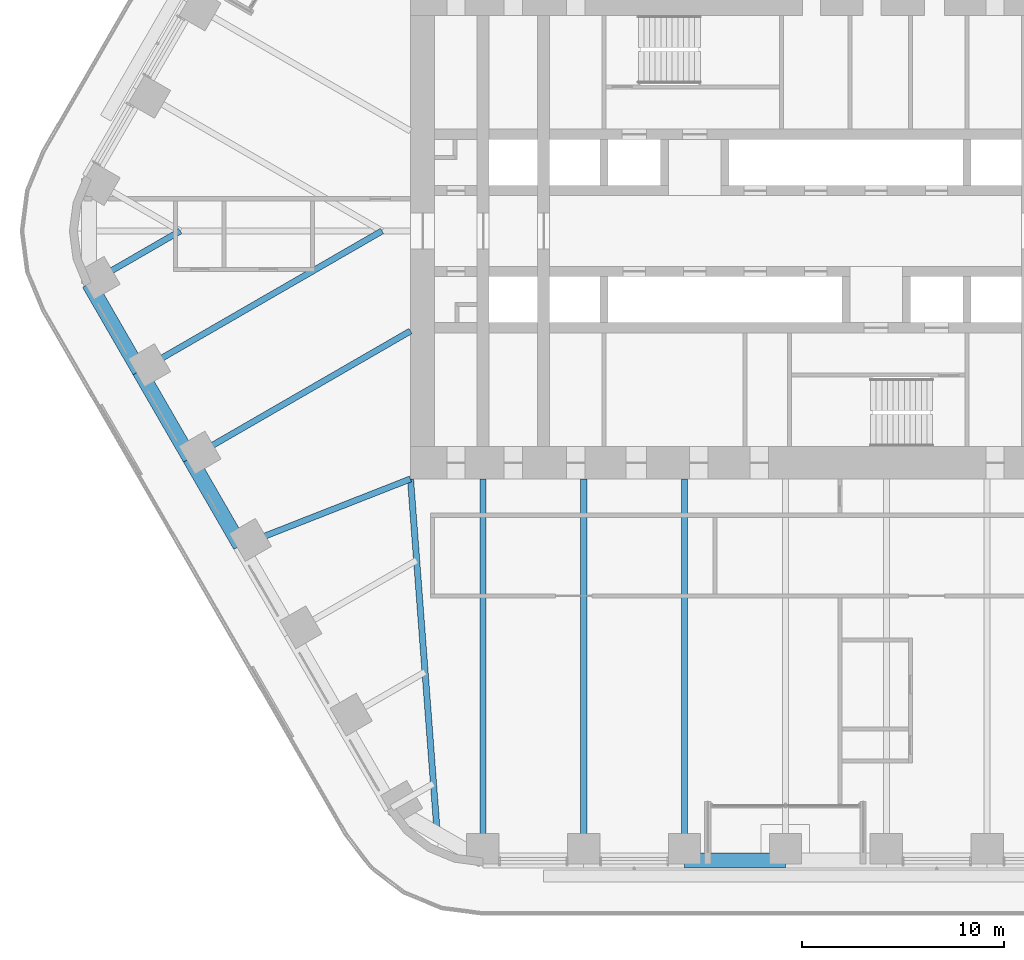
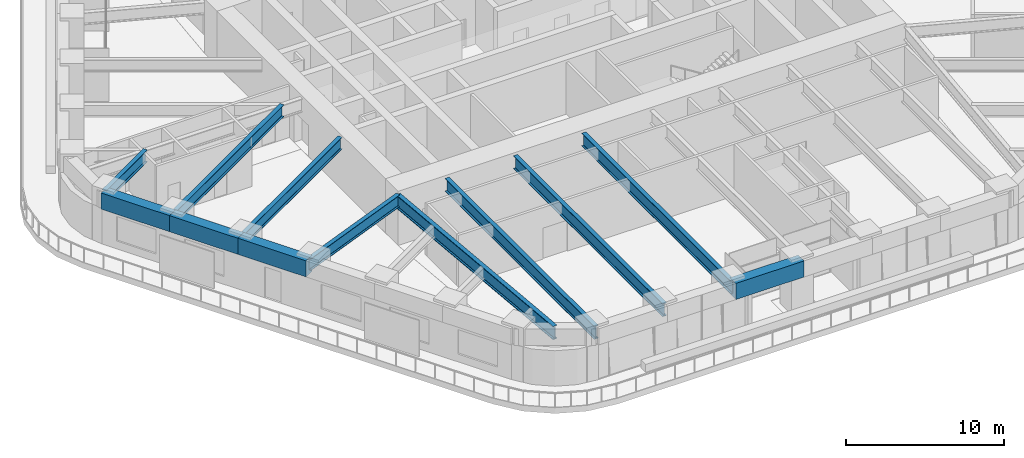
# One storey, part 3 of 24: 12 beams.
"""IFC4 building model written with IfcOpenShell, lengths in metres."""

from ifc_helpers import new_model, si_unit, direction, frame, origin, origin_2d, place, context, subcontext, project, spatial, rectangle, i_section, extrude, material, material_profile, profile_set, type_object, element, save


model = new_model("IFC4")

# Units and contexts
model_context = context("Model", 3, precision=1e-05, world=origin(), true_north=direction((0.0, 1.0)))
body_context = subcontext(model_context, "Body", "Model", "MODEL_VIEW")
ifc_project = project(units=[si_unit("LENGTHUNIT", "METRE"), si_unit("AREAUNIT", "SQUARE_METRE"), si_unit("VOLUMEUNIT", "CUBIC_METRE"), si_unit("PLANEANGLEUNIT", "RADIAN"), si_unit("MASSUNIT", "GRAM", prefix="KILO")], contexts=[model_context])

# Site, building, storey
site_placement = place(None, origin())
site = spatial("IfcSite", under=ifc_project, at=site_placement, CompositionType="ELEMENT")
building_placement = place(site_placement, origin())
building = spatial("IfcBuilding", under=site, at=building_placement, Name="Tarfa Lantern Tower", CompositionType="ELEMENT")
storey_placement = place(building_placement, frame((0.0, 0.0, 153.10009765625)))
storey = spatial("IfcBuildingStorey", under=building, at=storey_placement, Name="L34", CompositionType="ELEMENT", Elevation=153.10009765625)

# Beams
ifc_material_1 = material(Name="Concrete C80/95", Category="concrete")
ifc_material_profile_1 = material_profile(ifc_material_1, rectangle(XDim=0.75, YDim=1.25, at=origin_2d()), Name="RC 750x1250")
ifc_profile_set_1 = profile_set([ifc_material_profile_1], Name="Concrete C80/95")
beam_type_1 = type_object("IfcBeamType", Name="EB2 RC 750x1250", PredefinedType="SPANDREL", material=ifc_profile_set_1)
for number, where, z_axis, x_axis, name in (
    (1, (-34.54296875, -2.610107421875, 3.375), (0.500022324899, -0.866012514114, 0.0), (0.866012514114, 0.500022324899, 0.0), "Edge beam SW0"),
    (2, (-32.041015625, -6.943359375, 3.375), (0.500022324899, -0.866012514114, 0.0), (0.866012514114, 0.500022324899, 0.0), "Edge beam SW1"),
    (3, (-29.5390625, -11.276611328125, 3.375), (0.499964603504, -0.866045838996, 0.0), (0.866045838996, 0.499964603504, 0.0), "Edge beam SW2"),
    (4, (-5.003662109375, -31.219970703125, 3.375), (1.0, 0.0, 0.0), (0.0, 1.0, 0.0), "Edge beam S2"),
):
    element("IfcBeam", number, at=place(storey_placement, frame(where, z_axis=z_axis, x_axis=x_axis)), inside=storey, type_object=beam_type_1, Name=name, PredefinedType="SPANDREL", context=body_context, shape_type="SweptSolid", body=[
        extrude(rectangle(XDim=0.75, YDim=1.25, at=origin_2d()), origin(), (0.0, 0.0, 1.0), 5.003662109375),
    ])
ifc_material_2 = material(Name="Steel S460M", Category="steel")
ifc_material_profile_2 = material_profile(ifc_material_2, i_section(OverallWidth=0.302001953125, OverallDepth=1.008056640625, WebThickness=0.02099609375, FlangeThickness=0.0400390625, FilletRadius=0.030029296875, at=origin_2d()), Name="UB1016x305x349")
ifc_profile_set_2 = profile_set([ifc_material_profile_2], Name="Steel S460M")
beam_type_2 = type_object("IfcBeamType", Name="UB1016x305x349", PredefinedType="BEAM", material=ifc_profile_set_2)
for number, where, z_axis, x_axis, name in (
    (5, (-15.010986328125, -31.219970703125, 3.495849609375), (0.0, 1.0, 0.0), (-1.0, 0.0, 0.0), "Floor beam S0"),
    (6, (-10.00732421875, -31.219970703125, 3.495849609375), (0.0, 1.0, 0.0), (-1.0, 0.0, 0.0), "Floor beam S1"),
    (7, (-5.003662109375, -31.219970703125, 3.495849609375), (0.0, 1.0, 0.0), (-1.0, 0.0, 0.0), "Floor beam S2"),
):
    element("IfcBeam", number, at=place(storey_placement, frame(where, z_axis=z_axis, x_axis=x_axis)), inside=storey, type_object=beam_type_2, Name=name, PredefinedType="BEAM", context=body_context, shape_type="SweptSolid", body=[
        extrude(i_section(OverallWidth=0.302001953125, OverallDepth=1.008056640625, WebThickness=0.02099609375, FlangeThickness=0.0400390625, FilletRadius=0.030029296875, at=origin_2d()), origin(), (0.0, 0.0, 1.0), 18.919921875),
    ])
ifc_material_profile_3 = material_profile(ifc_material_2, i_section(OverallWidth=0.30859375, OverallDepth=1.036376953125, WebThickness=0.030029296875, FlangeThickness=0.05419921875, FilletRadius=0.030029296875, at=origin_2d()), Name="UB1016x305x487")
ifc_profile_set_3 = profile_set([ifc_material_profile_3], Name="Steel S460M")
beam_type_3 = type_object("IfcBeamType", Name="UB1016x305x487", PredefinedType="BEAM", material=ifc_profile_set_3)
beam_1_placement = place(storey_placement, frame((-18.60009765625, -12.300048828125, 3.481689453125), z_axis=(0.075211516041, -0.99716760269, 0.0), x_axis=(0.99716760269, 0.075211516041, 0.0)))
element("IfcBeam", 8, at=beam_1_placement, inside=storey, type_object=beam_type_3, Name="Hip girder SW", PredefinedType="BEAM", context=body_context, shape_type="SweptSolid", body=[
    extrude(i_section(OverallWidth=0.30859375, OverallDepth=1.036376953125, WebThickness=0.030029296875, FlangeThickness=0.05419921875, FilletRadius=0.030029296875, at=origin_2d()), origin(), (0.0, 0.0, 1.0), 17.6650390625),
])
ifc_material_profile_4 = material_profile(ifc_material_2, i_section(OverallWidth=0.305419921875, OverallDepth=0.91845703125, WebThickness=0.017333984375, FlangeThickness=0.02783203125, FilletRadius=0.01904296875, at=origin_2d()), Name="UB914x305x253")
ifc_profile_set_4 = profile_set([ifc_material_profile_4], Name="Steel S460M")
beam_type_4 = type_object("IfcBeamType", Name="UB914x305x253", PredefinedType="BEAM", material=ifc_profile_set_4)
beam_2_placement = place(storey_placement, frame((-34.54296875, -2.610107421875, 3.540771484375), z_axis=(0.866021250859, 0.500007193008, 0.0), x_axis=(-0.500007193008, 0.866021250859, 0.0)))
element("IfcBeam", 9, at=beam_2_placement, inside=storey, type_object=beam_type_4, Name="Floor beam SW0", PredefinedType="BEAM", context=body_context, shape_type="SweptSolid", body=[
    extrude(i_section(OverallWidth=0.305419921875, OverallDepth=0.91845703125, WebThickness=0.017333984375, FlangeThickness=0.02783203125, FilletRadius=0.01904296875, at=origin_2d()), origin(), (0.0, 0.0, 1.0), 5.22021484375),
])
beam_3_placement = place(storey_placement, frame((-32.041015625, -6.943359375, 3.540771484375), z_axis=(0.866023096411, 0.500003996466, 0.0), x_axis=(-0.500003996466, 0.866023096411, 0.0)))
element("IfcBeam", 10, at=beam_3_placement, inside=storey, type_object=beam_type_4, Name="Floor beam SW1", PredefinedType="BEAM", context=body_context, shape_type="SweptSolid", body=[
    extrude(i_section(OverallWidth=0.305419921875, OverallDepth=0.91845703125, WebThickness=0.017333984375, FlangeThickness=0.02783203125, FilletRadius=0.01904296875, at=origin_2d()), origin(), (0.0, 0.0, 1.0), 13.88671875),
])
beam_4_placement = place(storey_placement, frame((-29.5390625, -11.276611328125, 3.540771484375), z_axis=(0.866023362995, 0.500003534735, 0.0), x_axis=(-0.500003534735, 0.866023362995, 0.0)))
element("IfcBeam", 11, at=beam_4_placement, inside=storey, type_object=beam_type_4, Name="Floor beam SW2", PredefinedType="BEAM", context=body_context, shape_type="SweptSolid", body=[
    extrude(i_section(OverallWidth=0.305419921875, OverallDepth=0.91845703125, WebThickness=0.017333984375, FlangeThickness=0.02783203125, FilletRadius=0.01904296875, at=origin_2d()), origin(), (0.0, 0.0, 1.0), 12.63134765625),
])
beam_5_placement = place(storey_placement, frame((-27.037353515625, -15.610107421875, 3.540771484375), z_axis=(0.930923282782, 0.365214788274, 0.0), x_axis=(-0.365214788274, 0.930923282782, 0.0)))
element("IfcBeam", 12, at=beam_5_placement, inside=storey, type_object=beam_type_4, Name="Floor beam SW3", PredefinedType="BEAM", context=body_context, shape_type="SweptSolid", body=[
    extrude(i_section(OverallWidth=0.305419921875, OverallDepth=0.91845703125, WebThickness=0.017333984375, FlangeThickness=0.02783203125, FilletRadius=0.01904296875, at=origin_2d()), origin(), (0.0, 0.0, 1.0), 9.063232421875),
])

save(model, "model.ifc")
